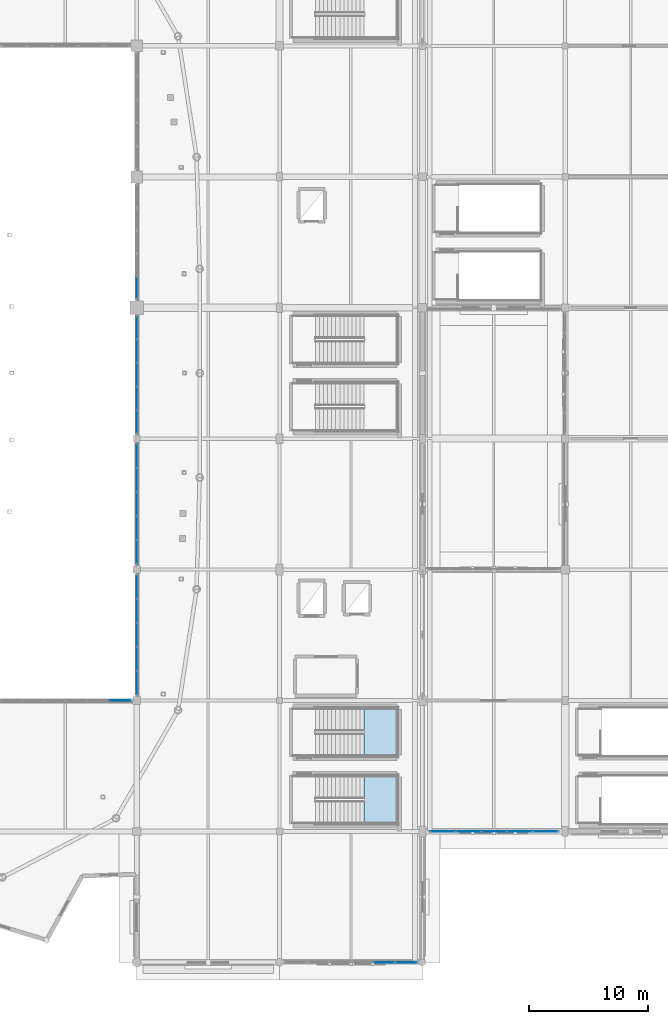
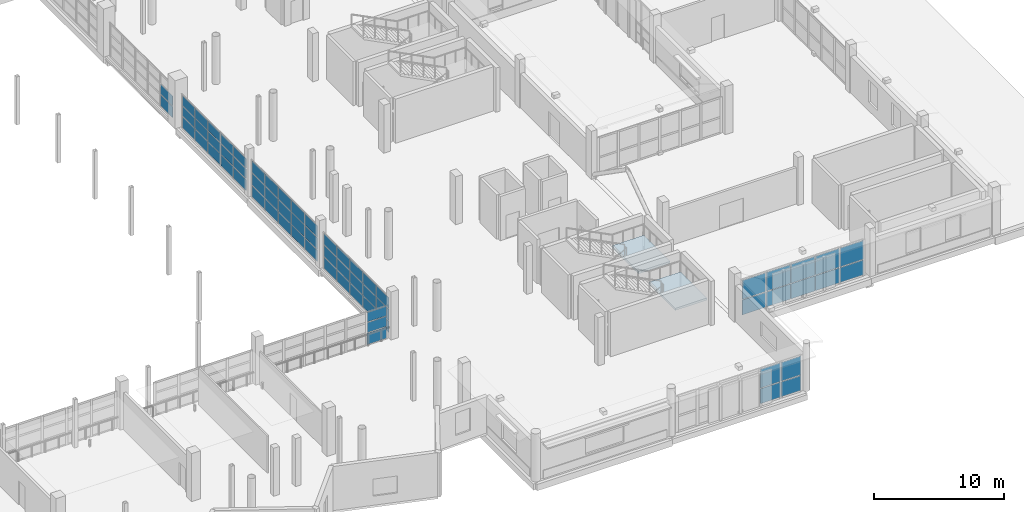
# One storey, part 72 of 118: 64 plates, 2 slabs, 9 elements without a shape of their own.
"""IFC4 building model written with IfcOpenShell, lengths in metres."""

from ifc_helpers import new_model, si_unit, direction, frame, origin, origin_2d, place, context, subcontext, project, spatial, polyline, rectangle, outline, extrude, material, layer, layer_set, type_object, element, aggregate, save


model = new_model("IFC4")

# Units and contexts
model_context = context("Model", 3, precision=1e-05, world=origin(), true_north=direction((0.0, 1.0)))
body_context = subcontext(model_context, "Body", "Model", "MODEL_VIEW")
ifc_project = project(units=[si_unit("LENGTHUNIT", "METRE"), si_unit("AREAUNIT", "SQUARE_METRE"), si_unit("VOLUMEUNIT", "CUBIC_METRE"), si_unit("PLANEANGLEUNIT", "RADIAN"), si_unit("MASSUNIT", "GRAM", prefix="KILO")], contexts=[model_context])

# Site, building, storey
site_placement = place(None, origin())
site = spatial("IfcSite", under=ifc_project, at=site_placement, CompositionType="ELEMENT")
building_placement = place(site_placement, origin())
building = spatial("IfcBuilding", under=site, at=building_placement, Name="Luwafu Chhajja Arena", CompositionType="ELEMENT")
storey_placement = place(building_placement, frame((0.0, 0.0, 10.199951171875)))
storey = spatial("IfcBuildingStorey", under=building, at=storey_placement, Name="L02", CompositionType="ELEMENT", Elevation=10.199951171875)

# Curtain wall, plates
ifc_material_1 = material(Name="Anodised bronze aluminium", Category="aluminium")
curtain_wall_type_1 = type_object("IfcCurtainWallType", Name="Media Ribbon Curtain Wall", PredefinedType="USERDEFINED", material=ifc_material_1)
curtain_wall_1_placement = place(storey_placement, origin())
curtain_wall_1 = element("IfcCurtainWall", 1, at=curtain_wall_1_placement, inside=storey, type_object=curtain_wall_type_1, Name="L02 Curtain Wall CWG-L02-H13_00", ObjectType="CURTAIN WALL", PredefinedType="USERDEFINED")
ifc_material_2 = material(Name="Solar-control laminated glass", Category="glass")
ifc_layer_1 = layer(ifc_material_2, 0.035888671875, Name="Solar-control laminated glass")
ifc_layer_set_1 = layer_set([ifc_layer_1], Name="Solar-control laminated glass")
plate_type_1 = type_object("IfcPlateType", Name="Acoustic Broadcast Double Glazed CW Panel 36", PredefinedType="CURTAIN_PANEL", material=ifc_layer_set_1)
plate_1_placement = place(storey_placement, frame((160.804931640625, 0.0, 0.10009765625), z_axis=(0.0, 0.0, 1.0), x_axis=(1.0, 0.0, 0.0)))
plate_1 = element("IfcPlate", 2, at=plate_1_placement, type_object=plate_type_1, Name="CW-03 panel 5.1", PredefinedType="CURTAIN_PANEL", context=body_context, shape_type="SweptSolid", body=[
    extrude(rectangle(XDim=1.783447265625, YDim=0.035888671875, at=origin_2d()), origin(), (0.0, 0.0, 1.0), 1.397216796875),
])
plate_2_placement = place(storey_placement, frame((160.804931640625, 0.0, 1.5673828125), z_axis=(0.0, 0.0, 1.0), x_axis=(1.0, 0.0, 0.0)))
plate_2 = element("IfcPlate", 3, at=plate_2_placement, type_object=plate_type_1, Name="CW-03 panel 5.2", PredefinedType="CURTAIN_PANEL", context=body_context, shape_type="SweptSolid", body=[
    extrude(rectangle(XDim=1.783447265625, YDim=0.035888671875, at=origin_2d()), origin(), (0.0, 0.0, 1.0), 1.767578125),
])
plate_3_placement = place(storey_placement, frame((162.640869140625, 0.0, 0.10009765625), z_axis=(0.0, 0.0, 1.0), x_axis=(1.0, 0.0, 0.0)))
plate_3 = element("IfcPlate", 4, at=plate_3_placement, type_object=plate_type_1, Name="CW-03 panel 6.1", PredefinedType="CURTAIN_PANEL", context=body_context, shape_type="SweptSolid", body=[
    extrude(rectangle(XDim=1.748291015625, YDim=0.035888671875, at=origin_2d()), origin(), (0.0, 0.0, 1.0), 1.397216796875),
])
plate_4_placement = place(storey_placement, frame((162.640869140625, 0.0, 1.5673828125), z_axis=(0.0, 0.0, 1.0), x_axis=(1.0, 0.0, 0.0)))
plate_4 = element("IfcPlate", 5, at=plate_4_placement, type_object=plate_type_1, Name="CW-03 panel 6.2", PredefinedType="CURTAIN_PANEL", context=body_context, shape_type="SweptSolid", body=[
    extrude(rectangle(XDim=1.748291015625, YDim=0.035888671875, at=origin_2d()), origin(), (0.0, 0.0, 1.0), 1.767578125),
])
aggregate(curtain_wall_1, [plate_1, plate_2, plate_3, plate_4])

# Stair, slab
ifc_material_3 = material(Name="Concrete C35/45", Category="concrete")
stair_type = type_object("IfcStairType", Name="Quadrant Protected Dog-Leg Stair 1920", PredefinedType="HALF_TURN_STAIR", material=ifc_material_3)
stair_1_placement = place(storey_placement, origin())
stair_1 = element("IfcStair", 6, at=stair_1_placement, inside=storey, type_object=stair_type, Name="L02 Protected Escape Stair ST-03", PredefinedType="HALF_TURN_STAIR")
ifc_layer_2 = layer(ifc_material_3, 0.199951171875, Name="Concrete C35/45")
ifc_layer_set_2 = layer_set([ifc_layer_2], Name="Concrete C35/45")
slab_type = type_object("IfcSlabType", Name="Escape Stair Landing Slab 200", PredefinedType="LANDING", material=ifc_layer_set_2)
slab_1_placement = place(storey_placement, frame((0.0, 0.0, 2.050048828125)))
slab_1 = element("IfcSlab", 7, at=slab_1_placement, type_object=slab_type, Name="ST-03 landing 1", PredefinedType="LANDING", context=body_context, shape_type="SweptSolid", body=[
    extrude(outline(polyline([(159.10009765625, 11.64990234375), (161.89990234375, 11.64990234375), (161.89990234375, 15.68994140625), (159.10009765625, 15.68994140625), (159.10009765625, 11.64990234375)])), origin(), (0.0, 0.0, 1.0), 0.199951171875),
])
aggregate(stair_1, [slab_1])

stair_2_placement = place(storey_placement, origin())
stair_2 = element("IfcStair", 8, at=stair_2_placement, inside=storey, type_object=stair_type, Name="L02 Protected Escape Stair ST-04", PredefinedType="HALF_TURN_STAIR")
slab_2_placement = place(storey_placement, frame((0.0, 0.0, 2.050048828125)))
slab_2 = element("IfcSlab", 9, at=slab_2_placement, type_object=slab_type, Name="ST-04 landing 1", PredefinedType="LANDING", context=body_context, shape_type="SweptSolid", body=[
    extrude(outline(polyline([(159.10009765625, 17.31005859375), (161.89990234375, 17.31005859375), (161.89990234375, 21.35009765625), (159.10009765625, 21.35009765625), (159.10009765625, 17.31005859375)])), origin(), (0.0, 0.0, 1.0), 0.199951171875),
])
aggregate(stair_2, [slab_2])

# Curtain wall, plates
curtain_wall_type_2 = type_object("IfcCurtainWallType", Name="Warm-Up Gallery Curtain Wall", PredefinedType="USERDEFINED", material=ifc_material_1)
curtain_wall_2_placement = place(storey_placement, origin())
curtain_wall_2 = element("IfcCurtainWall", 10, at=curtain_wall_2_placement, inside=storey, type_object=curtain_wall_type_2, Name="L02 Curtain Wall CWG-L02-H14_01", ObjectType="CURTAIN WALL", PredefinedType="USERDEFINED")
ifc_layer_3 = layer(ifc_material_1, 0.050048828125, Name="Anodised bronze aluminium")
ifc_layer_set_3 = layer_set([ifc_layer_3], Name="Anodised bronze aluminium")
plate_type_2 = type_object("IfcPlateType", Name="Insulated Bronze Spandrel Panel 50", PredefinedType="CURTAIN_PANEL", material=ifc_layer_set_3)
plate_5_placement = place(storey_placement, frame((165.694580078125, 11.0, 0.10009765625), z_axis=(0.0, 0.0, 1.0), x_axis=(1.0, 0.0, 0.0)))
plate_5 = element("IfcPlate", 11, at=plate_5_placement, type_object=plate_type_2, Name="CW-08 panel 1.1", PredefinedType="CURTAIN_PANEL", context=body_context, shape_type="SweptSolid", body=[
    extrude(rectangle(XDim=2.069091796875, YDim=0.050048828125, at=origin_2d()), origin(), (0.0, 0.0, 1.0), 1.397216796875),
])
plate_6_placement = place(storey_placement, frame((165.694580078125, 11.0, 1.5673828125), z_axis=(0.0, 0.0, 1.0), x_axis=(1.0, 0.0, 0.0)))
plate_6 = element("IfcPlate", 12, at=plate_6_placement, type_object=plate_type_2, Name="CW-08 panel 1.2", PredefinedType="CURTAIN_PANEL", context=body_context, shape_type="SweptSolid", body=[
    extrude(rectangle(XDim=2.069091796875, YDim=0.050048828125, at=origin_2d()), origin(), (0.0, 0.0, 1.0), 1.767578125),
])
plate_7_placement = place(storey_placement, frame((167.85107421875, 11.0, 0.10009765625), z_axis=(0.0, 0.0, 1.0), x_axis=(1.0, 0.0, 0.0)))
plate_7 = element("IfcPlate", 13, at=plate_7_placement, type_object=plate_type_2, Name="CW-08 panel 2.1", PredefinedType="CURTAIN_PANEL", context=body_context, shape_type="SweptSolid", body=[
    extrude(rectangle(XDim=2.10400390625, YDim=0.050048828125, at=origin_2d()), origin(), (0.0, 0.0, 1.0), 1.397216796875),
])
plate_8_placement = place(storey_placement, frame((167.85107421875, 11.0, 1.5673828125), z_axis=(0.0, 0.0, 1.0), x_axis=(1.0, 0.0, 0.0)))
plate_8 = element("IfcPlate", 14, at=plate_8_placement, type_object=plate_type_2, Name="CW-08 panel 2.2", PredefinedType="CURTAIN_PANEL", context=body_context, shape_type="SweptSolid", body=[
    extrude(rectangle(XDim=2.10400390625, YDim=0.050048828125, at=origin_2d()), origin(), (0.0, 0.0, 1.0), 1.767578125),
])
plate_9_placement = place(storey_placement, frame((170.02490234375, 11.0, 0.10009765625), z_axis=(0.0, 0.0, 1.0), x_axis=(1.0, 0.0, 0.0)))
plate_9 = element("IfcPlate", 15, at=plate_9_placement, type_object=plate_type_2, Name="CW-08 panel 3.1", PredefinedType="CURTAIN_PANEL", context=body_context, shape_type="SweptSolid", body=[
    extrude(rectangle(XDim=2.10400390625, YDim=0.050048828125, at=origin_2d()), origin(), (0.0, 0.0, 1.0), 1.397216796875),
])
plate_10_placement = place(storey_placement, frame((170.02490234375, 11.0, 1.5673828125), z_axis=(0.0, 0.0, 1.0), x_axis=(1.0, 0.0, 0.0)))
plate_10 = element("IfcPlate", 16, at=plate_10_placement, type_object=plate_type_2, Name="CW-08 panel 3.2", PredefinedType="CURTAIN_PANEL", context=body_context, shape_type="SweptSolid", body=[
    extrude(rectangle(XDim=2.10400390625, YDim=0.050048828125, at=origin_2d()), origin(), (0.0, 0.0, 1.0), 1.767578125),
])
plate_11_placement = place(storey_placement, frame((172.198974609375, 11.0, 0.10009765625), z_axis=(0.0, 0.0, 1.0), x_axis=(1.0, 0.0, 0.0)))
plate_11 = element("IfcPlate", 17, at=plate_11_placement, type_object=plate_type_2, Name="CW-08 panel 4.1", PredefinedType="CURTAIN_PANEL", context=body_context, shape_type="SweptSolid", body=[
    extrude(rectangle(XDim=2.10400390625, YDim=0.050048828125, at=origin_2d()), origin(), (0.0, 0.0, 1.0), 1.397216796875),
])
plate_12_placement = place(storey_placement, frame((172.198974609375, 11.0, 1.5673828125), z_axis=(0.0, 0.0, 1.0), x_axis=(1.0, 0.0, 0.0)))
plate_12 = element("IfcPlate", 18, at=plate_12_placement, type_object=plate_type_2, Name="CW-08 panel 4.2", PredefinedType="CURTAIN_PANEL", context=body_context, shape_type="SweptSolid", body=[
    extrude(rectangle(XDim=2.10400390625, YDim=0.050048828125, at=origin_2d()), origin(), (0.0, 0.0, 1.0), 1.767578125),
])
plate_13_placement = place(storey_placement, frame((174.35546875, 11.0, 0.10009765625), z_axis=(0.0, 0.0, 1.0), x_axis=(1.0, 0.0, 0.0)))
plate_13 = element("IfcPlate", 19, at=plate_13_placement, type_object=plate_type_2, Name="CW-08 panel 5.1", PredefinedType="CURTAIN_PANEL", context=body_context, shape_type="SweptSolid", body=[
    extrude(rectangle(XDim=2.069091796875, YDim=0.050048828125, at=origin_2d()), origin(), (0.0, 0.0, 1.0), 1.397216796875),
])
plate_14_placement = place(storey_placement, frame((174.35546875, 11.0, 1.5673828125), z_axis=(0.0, 0.0, 1.0), x_axis=(1.0, 0.0, 0.0)))
plate_14 = element("IfcPlate", 20, at=plate_14_placement, type_object=plate_type_2, Name="CW-08 panel 5.2", PredefinedType="CURTAIN_PANEL", context=body_context, shape_type="SweptSolid", body=[
    extrude(rectangle(XDim=2.069091796875, YDim=0.050048828125, at=origin_2d()), origin(), (0.0, 0.0, 1.0), 1.767578125),
])
aggregate(curtain_wall_2, [plate_5, plate_6, plate_7, plate_8, plate_9, plate_10, plate_11, plate_12, plate_13, plate_14])

curtain_wall_type_3 = type_object("IfcCurtainWallType", Name="Hospitality Ring Curtain Wall", PredefinedType="USERDEFINED", material=ifc_material_1)
curtain_wall_3_placement = place(storey_placement, origin())
curtain_wall_3 = element("IfcCurtainWall", 21, at=curtain_wall_3_placement, inside=storey, type_object=curtain_wall_type_3, Name="L02 Bowl Viewing Curtain Wall CWR-L02-07", ObjectType="CURTAIN WALL", PredefinedType="USERDEFINED")
ifc_layer_4 = layer(ifc_material_2, 0.028076171875, Name="Solar-control laminated glass")
ifc_layer_set_4 = layer_set([ifc_layer_4], Name="Solar-control laminated glass")
plate_type_3 = type_object("IfcPlateType", Name="Solar Control Double Glazed CW Panel 28", PredefinedType="CURTAIN_PANEL", material=ifc_layer_set_4)
plate_15_placement = place(storey_placement, frame((138.598388671875, 22.0, 0.06494140625), z_axis=(0.0, 0.0, 1.0), x_axis=(1.0, 0.0, 0.0)))
plate_15 = element("IfcPlate", 22, at=plate_15_placement, type_object=plate_type_3, Name="CW-02 panel 6.1", PredefinedType="CURTAIN_PANEL", context=body_context, shape_type="SweptSolid", body=[
    extrude(rectangle(XDim=1.743408203125, YDim=0.028076171875, at=origin_2d()), origin(), (0.0, 0.0, 1.0), 1.052490234375),
])
plate_16_placement = place(storey_placement, frame((138.598388671875, 22.0, 1.1826171875), z_axis=(0.0, 0.0, 1.0), x_axis=(1.0, 0.0, 0.0)))
plate_16 = element("IfcPlate", 23, at=plate_16_placement, type_object=plate_type_3, Name="CW-02 panel 6.2", PredefinedType="CURTAIN_PANEL", context=body_context, shape_type="SweptSolid", body=[
    extrude(rectangle(XDim=1.743408203125, YDim=0.028076171875, at=origin_2d()), origin(), (0.0, 0.0, 1.0), 0.929931640625),
])
plate_17_placement = place(storey_placement, frame((138.598388671875, 22.0, 2.177490234375), z_axis=(0.0, 0.0, 1.0), x_axis=(1.0, 0.0, 0.0)))
plate_17 = element("IfcPlate", 24, at=plate_17_placement, type_object=plate_type_3, Name="CW-02 panel 6.3", PredefinedType="CURTAIN_PANEL", context=body_context, shape_type="SweptSolid", body=[
    extrude(rectangle(XDim=1.743408203125, YDim=0.028076171875, at=origin_2d()), origin(), (0.0, 0.0, 1.0), 0.8974609375),
])
aggregate(curtain_wall_3, [plate_15, plate_16, plate_17])

curtain_wall_4_placement = place(storey_placement, origin())
curtain_wall_4 = element("IfcCurtainWall", 25, at=curtain_wall_4_placement, inside=storey, type_object=curtain_wall_type_3, Name="L02 Bowl Viewing Curtain Wall CWR-L02-20", ObjectType="CURTAIN WALL", PredefinedType="USERDEFINED")
plate_18_placement = place(storey_placement, frame((140.0, 23.49072265625, 0.06494140625), z_axis=(0.0, 0.0, 1.0), x_axis=(0.0, 1.0, 0.0)))
plate_18 = element("IfcPlate", 26, at=plate_18_placement, type_object=plate_type_3, Name="CW-02 panel 1.1", PredefinedType="CURTAIN_PANEL", context=body_context, shape_type="SweptSolid", body=[
    extrude(rectangle(XDim=1.92138671875, YDim=0.028076171875, at=origin_2d()), origin(), (0.0, 0.0, 1.0), 1.052490234375),
])
plate_19_placement = place(storey_placement, frame((140.0, 23.49072265625, 1.1826171875), z_axis=(0.0, 0.0, 1.0), x_axis=(0.0, 1.0, 0.0)))
plate_19 = element("IfcPlate", 27, at=plate_19_placement, type_object=plate_type_3, Name="CW-02 panel 1.2", PredefinedType="CURTAIN_PANEL", context=body_context, shape_type="SweptSolid", body=[
    extrude(rectangle(XDim=1.92138671875, YDim=0.028076171875, at=origin_2d()), origin(), (0.0, 0.0, 1.0), 1.054931640625),
])
plate_20_placement = place(storey_placement, frame((140.0, 23.49072265625, 2.302490234375), z_axis=(0.0, 0.0, 1.0), x_axis=(0.0, 1.0, 0.0)))
plate_20 = element("IfcPlate", 28, at=plate_20_placement, type_object=plate_type_3, Name="CW-02 panel 1.3", PredefinedType="CURTAIN_PANEL", context=body_context, shape_type="SweptSolid", body=[
    extrude(rectangle(XDim=1.92138671875, YDim=0.028076171875, at=origin_2d()), origin(), (0.0, 0.0, 1.0), 1.0224609375),
])
plate_21_placement = place(storey_placement, frame((140.0, 25.493408203125, 0.06494140625), z_axis=(0.0, 0.0, 1.0), x_axis=(0.0, 1.0, 0.0)))
plate_21 = element("IfcPlate", 29, at=plate_21_placement, type_object=plate_type_3, Name="CW-02 panel 2.1", PredefinedType="CURTAIN_PANEL", context=body_context, shape_type="SweptSolid", body=[
    extrude(rectangle(XDim=1.9541015625, YDim=0.028076171875, at=origin_2d()), origin(), (0.0, 0.0, 1.0), 1.052490234375),
])
plate_22_placement = place(storey_placement, frame((140.0, 25.493408203125, 1.1826171875), z_axis=(0.0, 0.0, 1.0), x_axis=(0.0, 1.0, 0.0)))
plate_22 = element("IfcPlate", 30, at=plate_22_placement, type_object=plate_type_3, Name="CW-02 panel 2.2", PredefinedType="CURTAIN_PANEL", context=body_context, shape_type="SweptSolid", body=[
    extrude(rectangle(XDim=1.9541015625, YDim=0.028076171875, at=origin_2d()), origin(), (0.0, 0.0, 1.0), 1.054931640625),
])
plate_23_placement = place(storey_placement, frame((140.0, 25.493408203125, 2.302490234375), z_axis=(0.0, 0.0, 1.0), x_axis=(0.0, 1.0, 0.0)))
plate_23 = element("IfcPlate", 31, at=plate_23_placement, type_object=plate_type_3, Name="CW-02 panel 2.3", PredefinedType="CURTAIN_PANEL", context=body_context, shape_type="SweptSolid", body=[
    extrude(rectangle(XDim=1.9541015625, YDim=0.028076171875, at=origin_2d()), origin(), (0.0, 0.0, 1.0), 1.0224609375),
])
plate_24_placement = place(storey_placement, frame((140.0, 27.512451171875, 0.06494140625), z_axis=(0.0, 0.0, 1.0), x_axis=(0.0, 1.0, 0.0)))
plate_24 = element("IfcPlate", 32, at=plate_24_placement, type_object=plate_type_3, Name="CW-02 panel 3.1", PredefinedType="CURTAIN_PANEL", context=body_context, shape_type="SweptSolid", body=[
    extrude(rectangle(XDim=1.9541015625, YDim=0.028076171875, at=origin_2d()), origin(), (0.0, 0.0, 1.0), 1.052490234375),
])
plate_25_placement = place(storey_placement, frame((140.0, 27.512451171875, 1.1826171875), z_axis=(0.0, 0.0, 1.0), x_axis=(0.0, 1.0, 0.0)))
plate_25 = element("IfcPlate", 33, at=plate_25_placement, type_object=plate_type_3, Name="CW-02 panel 3.2", PredefinedType="CURTAIN_PANEL", context=body_context, shape_type="SweptSolid", body=[
    extrude(rectangle(XDim=1.9541015625, YDim=0.028076171875, at=origin_2d()), origin(), (0.0, 0.0, 1.0), 1.054931640625),
])
plate_26_placement = place(storey_placement, frame((140.0, 27.512451171875, 2.302490234375), z_axis=(0.0, 0.0, 1.0), x_axis=(0.0, 1.0, 0.0)))
plate_26 = element("IfcPlate", 34, at=plate_26_placement, type_object=plate_type_3, Name="CW-02 panel 3.3", PredefinedType="CURTAIN_PANEL", context=body_context, shape_type="SweptSolid", body=[
    extrude(rectangle(XDim=1.9541015625, YDim=0.028076171875, at=origin_2d()), origin(), (0.0, 0.0, 1.0), 1.0224609375),
])
plate_27_placement = place(storey_placement, frame((140.0, 29.531494140625, 0.06494140625), z_axis=(0.0, 0.0, 1.0), x_axis=(0.0, 1.0, 0.0)))
plate_27 = element("IfcPlate", 35, at=plate_27_placement, type_object=plate_type_3, Name="CW-02 panel 4.1", PredefinedType="CURTAIN_PANEL", context=body_context, shape_type="SweptSolid", body=[
    extrude(rectangle(XDim=1.9541015625, YDim=0.028076171875, at=origin_2d()), origin(), (0.0, 0.0, 1.0), 1.052490234375),
])
plate_28_placement = place(storey_placement, frame((140.0, 29.531494140625, 1.1826171875), z_axis=(0.0, 0.0, 1.0), x_axis=(0.0, 1.0, 0.0)))
plate_28 = element("IfcPlate", 36, at=plate_28_placement, type_object=plate_type_3, Name="CW-02 panel 4.2", PredefinedType="CURTAIN_PANEL", context=body_context, shape_type="SweptSolid", body=[
    extrude(rectangle(XDim=1.9541015625, YDim=0.028076171875, at=origin_2d()), origin(), (0.0, 0.0, 1.0), 1.054931640625),
])
plate_29_placement = place(storey_placement, frame((140.0, 29.531494140625, 2.302490234375), z_axis=(0.0, 0.0, 1.0), x_axis=(0.0, 1.0, 0.0)))
plate_29 = element("IfcPlate", 37, at=plate_29_placement, type_object=plate_type_3, Name="CW-02 panel 4.3", PredefinedType="CURTAIN_PANEL", context=body_context, shape_type="SweptSolid", body=[
    extrude(rectangle(XDim=1.9541015625, YDim=0.028076171875, at=origin_2d()), origin(), (0.0, 0.0, 1.0), 1.0224609375),
])
plate_30_placement = place(storey_placement, frame((140.0, 31.5341796875, 0.06494140625), z_axis=(0.0, 0.0, 1.0), x_axis=(0.0, 1.0, 0.0)))
plate_30 = element("IfcPlate", 38, at=plate_30_placement, type_object=plate_type_3, Name="CW-02 panel 5.1", PredefinedType="CURTAIN_PANEL", context=body_context, shape_type="SweptSolid", body=[
    extrude(rectangle(XDim=1.92138671875, YDim=0.028076171875, at=origin_2d()), origin(), (0.0, 0.0, 1.0), 1.052490234375),
])
plate_31_placement = place(storey_placement, frame((140.0, 31.5341796875, 1.1826171875), z_axis=(0.0, 0.0, 1.0), x_axis=(0.0, 1.0, 0.0)))
plate_31 = element("IfcPlate", 39, at=plate_31_placement, type_object=plate_type_3, Name="CW-02 panel 5.2", PredefinedType="CURTAIN_PANEL", context=body_context, shape_type="SweptSolid", body=[
    extrude(rectangle(XDim=1.92138671875, YDim=0.028076171875, at=origin_2d()), origin(), (0.0, 0.0, 1.0), 1.054931640625),
])
plate_32_placement = place(storey_placement, frame((140.0, 31.5341796875, 2.302490234375), z_axis=(0.0, 0.0, 1.0), x_axis=(0.0, 1.0, 0.0)))
plate_32 = element("IfcPlate", 40, at=plate_32_placement, type_object=plate_type_3, Name="CW-02 panel 5.3", PredefinedType="CURTAIN_PANEL", context=body_context, shape_type="SweptSolid", body=[
    extrude(rectangle(XDim=1.92138671875, YDim=0.028076171875, at=origin_2d()), origin(), (0.0, 0.0, 1.0), 1.0224609375),
])
aggregate(curtain_wall_4, [plate_18, plate_19, plate_20, plate_21, plate_22, plate_23, plate_24, plate_25, plate_26, plate_27, plate_28, plate_29, plate_30, plate_31, plate_32])

curtain_wall_5_placement = place(storey_placement, origin())
curtain_wall_5 = element("IfcCurtainWall", 41, at=curtain_wall_5_placement, inside=storey, type_object=curtain_wall_type_3, Name="L02 Bowl Viewing Curtain Wall CWR-L02-21", ObjectType="CURTAIN WALL", PredefinedType="USERDEFINED")
plate_33_placement = place(storey_placement, frame((140.0, 34.470703125, 0.06494140625), z_axis=(0.0, 0.0, 1.0), x_axis=(0.0, 1.0, 0.0)))
plate_33 = element("IfcPlate", 42, at=plate_33_placement, type_object=plate_type_3, Name="CW-02 panel 1.1", PredefinedType="CURTAIN_PANEL", context=body_context, shape_type="SweptSolid", body=[
    extrude(rectangle(XDim=1.931396484375, YDim=0.028076171875, at=origin_2d()), origin(), (0.0, 0.0, 1.0), 1.052490234375),
])
plate_34_placement = place(storey_placement, frame((140.0, 34.470703125, 1.1826171875), z_axis=(0.0, 0.0, 1.0), x_axis=(0.0, 1.0, 0.0)))
plate_34 = element("IfcPlate", 43, at=plate_34_placement, type_object=plate_type_3, Name="CW-02 panel 1.2", PredefinedType="CURTAIN_PANEL", context=body_context, shape_type="SweptSolid", body=[
    extrude(rectangle(XDim=1.931396484375, YDim=0.028076171875, at=origin_2d()), origin(), (0.0, 0.0, 1.0), 1.10498046875),
])
plate_35_placement = place(storey_placement, frame((140.0, 34.470703125, 2.3525390625), z_axis=(0.0, 0.0, 1.0), x_axis=(0.0, 1.0, 0.0)))
plate_35 = element("IfcPlate", 44, at=plate_35_placement, type_object=plate_type_3, Name="CW-02 panel 1.3", PredefinedType="CURTAIN_PANEL", context=body_context, shape_type="SweptSolid", body=[
    extrude(rectangle(XDim=1.931396484375, YDim=0.028076171875, at=origin_2d()), origin(), (0.0, 0.0, 1.0), 1.072509765625),
])
plate_36_placement = place(storey_placement, frame((140.0, 36.4833984375, 0.06494140625), z_axis=(0.0, 0.0, 1.0), x_axis=(0.0, 1.0, 0.0)))
plate_36 = element("IfcPlate", 45, at=plate_36_placement, type_object=plate_type_3, Name="CW-02 panel 2.1", PredefinedType="CURTAIN_PANEL", context=body_context, shape_type="SweptSolid", body=[
    extrude(rectangle(XDim=1.964111328125, YDim=0.028076171875, at=origin_2d()), origin(), (0.0, 0.0, 1.0), 1.052490234375),
])
plate_37_placement = place(storey_placement, frame((140.0, 36.4833984375, 1.1826171875), z_axis=(0.0, 0.0, 1.0), x_axis=(0.0, 1.0, 0.0)))
plate_37 = element("IfcPlate", 46, at=plate_37_placement, type_object=plate_type_3, Name="CW-02 panel 2.2", PredefinedType="CURTAIN_PANEL", context=body_context, shape_type="SweptSolid", body=[
    extrude(rectangle(XDim=1.964111328125, YDim=0.028076171875, at=origin_2d()), origin(), (0.0, 0.0, 1.0), 1.10498046875),
])
plate_38_placement = place(storey_placement, frame((140.0, 36.4833984375, 2.3525390625), z_axis=(0.0, 0.0, 1.0), x_axis=(0.0, 1.0, 0.0)))
plate_38 = element("IfcPlate", 47, at=plate_38_placement, type_object=plate_type_3, Name="CW-02 panel 2.3", PredefinedType="CURTAIN_PANEL", context=body_context, shape_type="SweptSolid", body=[
    extrude(rectangle(XDim=1.964111328125, YDim=0.028076171875, at=origin_2d()), origin(), (0.0, 0.0, 1.0), 1.072509765625),
])
plate_39_placement = place(storey_placement, frame((140.0, 38.512451171875, 0.06494140625), z_axis=(0.0, 0.0, 1.0), x_axis=(0.0, 1.0, 0.0)))
plate_39 = element("IfcPlate", 48, at=plate_39_placement, type_object=plate_type_3, Name="CW-02 panel 3.1", PredefinedType="CURTAIN_PANEL", context=body_context, shape_type="SweptSolid", body=[
    extrude(rectangle(XDim=1.964111328125, YDim=0.028076171875, at=origin_2d()), origin(), (0.0, 0.0, 1.0), 1.052490234375),
])
plate_40_placement = place(storey_placement, frame((140.0, 38.512451171875, 1.1826171875), z_axis=(0.0, 0.0, 1.0), x_axis=(0.0, 1.0, 0.0)))
plate_40 = element("IfcPlate", 49, at=plate_40_placement, type_object=plate_type_3, Name="CW-02 panel 3.2", PredefinedType="CURTAIN_PANEL", context=body_context, shape_type="SweptSolid", body=[
    extrude(rectangle(XDim=1.964111328125, YDim=0.028076171875, at=origin_2d()), origin(), (0.0, 0.0, 1.0), 1.10498046875),
])
plate_41_placement = place(storey_placement, frame((140.0, 38.512451171875, 2.3525390625), z_axis=(0.0, 0.0, 1.0), x_axis=(0.0, 1.0, 0.0)))
plate_41 = element("IfcPlate", 50, at=plate_41_placement, type_object=plate_type_3, Name="CW-02 panel 3.3", PredefinedType="CURTAIN_PANEL", context=body_context, shape_type="SweptSolid", body=[
    extrude(rectangle(XDim=1.964111328125, YDim=0.028076171875, at=origin_2d()), origin(), (0.0, 0.0, 1.0), 1.072509765625),
])
plate_42_placement = place(storey_placement, frame((140.0, 40.54150390625, 0.06494140625), z_axis=(0.0, 0.0, 1.0), x_axis=(0.0, 1.0, 0.0)))
plate_42 = element("IfcPlate", 51, at=plate_42_placement, type_object=plate_type_3, Name="CW-02 panel 4.1", PredefinedType="CURTAIN_PANEL", context=body_context, shape_type="SweptSolid", body=[
    extrude(rectangle(XDim=1.964111328125, YDim=0.028076171875, at=origin_2d()), origin(), (0.0, 0.0, 1.0), 1.052490234375),
])
plate_43_placement = place(storey_placement, frame((140.0, 40.54150390625, 1.1826171875), z_axis=(0.0, 0.0, 1.0), x_axis=(0.0, 1.0, 0.0)))
plate_43 = element("IfcPlate", 52, at=plate_43_placement, type_object=plate_type_3, Name="CW-02 panel 4.2", PredefinedType="CURTAIN_PANEL", context=body_context, shape_type="SweptSolid", body=[
    extrude(rectangle(XDim=1.964111328125, YDim=0.028076171875, at=origin_2d()), origin(), (0.0, 0.0, 1.0), 1.10498046875),
])
plate_44_placement = place(storey_placement, frame((140.0, 40.54150390625, 2.3525390625), z_axis=(0.0, 0.0, 1.0), x_axis=(0.0, 1.0, 0.0)))
plate_44 = element("IfcPlate", 53, at=plate_44_placement, type_object=plate_type_3, Name="CW-02 panel 4.3", PredefinedType="CURTAIN_PANEL", context=body_context, shape_type="SweptSolid", body=[
    extrude(rectangle(XDim=1.964111328125, YDim=0.028076171875, at=origin_2d()), origin(), (0.0, 0.0, 1.0), 1.072509765625),
])
plate_45_placement = place(storey_placement, frame((140.0, 42.55419921875, 0.06494140625), z_axis=(0.0, 0.0, 1.0), x_axis=(0.0, 1.0, 0.0)))
plate_45 = element("IfcPlate", 54, at=plate_45_placement, type_object=plate_type_3, Name="CW-02 panel 5.1", PredefinedType="CURTAIN_PANEL", context=body_context, shape_type="SweptSolid", body=[
    extrude(rectangle(XDim=1.931396484375, YDim=0.028076171875, at=origin_2d()), origin(), (0.0, 0.0, 1.0), 1.052490234375),
])
plate_46_placement = place(storey_placement, frame((140.0, 42.55419921875, 1.1826171875), z_axis=(0.0, 0.0, 1.0), x_axis=(0.0, 1.0, 0.0)))
plate_46 = element("IfcPlate", 55, at=plate_46_placement, type_object=plate_type_3, Name="CW-02 panel 5.2", PredefinedType="CURTAIN_PANEL", context=body_context, shape_type="SweptSolid", body=[
    extrude(rectangle(XDim=1.931396484375, YDim=0.028076171875, at=origin_2d()), origin(), (0.0, 0.0, 1.0), 1.10498046875),
])
plate_47_placement = place(storey_placement, frame((140.0, 42.55419921875, 2.3525390625), z_axis=(0.0, 0.0, 1.0), x_axis=(0.0, 1.0, 0.0)))
plate_47 = element("IfcPlate", 56, at=plate_47_placement, type_object=plate_type_3, Name="CW-02 panel 5.3", PredefinedType="CURTAIN_PANEL", context=body_context, shape_type="SweptSolid", body=[
    extrude(rectangle(XDim=1.931396484375, YDim=0.028076171875, at=origin_2d()), origin(), (0.0, 0.0, 1.0), 1.072509765625),
])
aggregate(curtain_wall_5, [plate_33, plate_34, plate_35, plate_36, plate_37, plate_38, plate_39, plate_40, plate_41, plate_42, plate_43, plate_44, plate_45, plate_46, plate_47])

curtain_wall_6_placement = place(storey_placement, origin())
curtain_wall_6 = element("IfcCurtainWall", 57, at=curtain_wall_6_placement, inside=storey, type_object=curtain_wall_type_3, Name="L02 Bowl Viewing Curtain Wall CWR-L02-22", ObjectType="CURTAIN WALL", PredefinedType="USERDEFINED")
plate_48_placement = place(storey_placement, frame((140.0, 45.420654296875, 0.06494140625), z_axis=(0.0, 0.0, 1.0), x_axis=(0.0, 1.0, 0.0)))
plate_48 = element("IfcPlate", 58, at=plate_48_placement, type_object=plate_type_3, Name="CW-02 panel 1.1", PredefinedType="CURTAIN_PANEL", context=body_context, shape_type="SweptSolid", body=[
    extrude(rectangle(XDim=1.881591796875, YDim=0.028076171875, at=origin_2d()), origin(), (0.0, 0.0, 1.0), 1.052490234375),
])
plate_49_placement = place(storey_placement, frame((140.0, 45.420654296875, 1.1826171875), z_axis=(0.0, 0.0, 1.0), x_axis=(0.0, 1.0, 0.0)))
plate_49 = element("IfcPlate", 59, at=plate_49_placement, type_object=plate_type_3, Name="CW-02 panel 1.2", PredefinedType="CURTAIN_PANEL", context=body_context, shape_type="SweptSolid", body=[
    extrude(rectangle(XDim=1.881591796875, YDim=0.028076171875, at=origin_2d()), origin(), (0.0, 0.0, 1.0), 0.929931640625),
])
plate_50_placement = place(storey_placement, frame((140.0, 45.420654296875, 2.177490234375), z_axis=(0.0, 0.0, 1.0), x_axis=(0.0, 1.0, 0.0)))
plate_50 = element("IfcPlate", 60, at=plate_50_placement, type_object=plate_type_3, Name="CW-02 panel 1.3", PredefinedType="CURTAIN_PANEL", context=body_context, shape_type="SweptSolid", body=[
    extrude(rectangle(XDim=1.881591796875, YDim=0.028076171875, at=origin_2d()), origin(), (0.0, 0.0, 1.0), 0.8974609375),
])
plate_51_placement = place(storey_placement, frame((140.0, 47.383544921875, 0.06494140625), z_axis=(0.0, 0.0, 1.0), x_axis=(0.0, 1.0, 0.0)))
plate_51 = element("IfcPlate", 61, at=plate_51_placement, type_object=plate_type_3, Name="CW-02 panel 2.1", PredefinedType="CURTAIN_PANEL", context=body_context, shape_type="SweptSolid", body=[
    extrude(rectangle(XDim=1.9140625, YDim=0.028076171875, at=origin_2d()), origin(), (0.0, 0.0, 1.0), 1.052490234375),
])
plate_52_placement = place(storey_placement, frame((140.0, 47.383544921875, 1.1826171875), z_axis=(0.0, 0.0, 1.0), x_axis=(0.0, 1.0, 0.0)))
plate_52 = element("IfcPlate", 62, at=plate_52_placement, type_object=plate_type_3, Name="CW-02 panel 2.2", PredefinedType="CURTAIN_PANEL", context=body_context, shape_type="SweptSolid", body=[
    extrude(rectangle(XDim=1.9140625, YDim=0.028076171875, at=origin_2d()), origin(), (0.0, 0.0, 1.0), 0.929931640625),
])
plate_53_placement = place(storey_placement, frame((140.0, 47.383544921875, 2.177490234375), z_axis=(0.0, 0.0, 1.0), x_axis=(0.0, 1.0, 0.0)))
plate_53 = element("IfcPlate", 63, at=plate_53_placement, type_object=plate_type_3, Name="CW-02 panel 2.3", PredefinedType="CURTAIN_PANEL", context=body_context, shape_type="SweptSolid", body=[
    extrude(rectangle(XDim=1.9140625, YDim=0.028076171875, at=origin_2d()), origin(), (0.0, 0.0, 1.0), 0.8974609375),
])
plate_54_placement = place(storey_placement, frame((140.0, 49.362548828125, 0.06494140625), z_axis=(0.0, 0.0, 1.0), x_axis=(0.0, 1.0, 0.0)))
plate_54 = element("IfcPlate", 64, at=plate_54_placement, type_object=plate_type_3, Name="CW-02 panel 3.1", PredefinedType="CURTAIN_PANEL", context=body_context, shape_type="SweptSolid", body=[
    extrude(rectangle(XDim=1.9140625, YDim=0.028076171875, at=origin_2d()), origin(), (0.0, 0.0, 1.0), 1.052490234375),
])
plate_55_placement = place(storey_placement, frame((140.0, 49.362548828125, 1.1826171875), z_axis=(0.0, 0.0, 1.0), x_axis=(0.0, 1.0, 0.0)))
plate_55 = element("IfcPlate", 65, at=plate_55_placement, type_object=plate_type_3, Name="CW-02 panel 3.2", PredefinedType="CURTAIN_PANEL", context=body_context, shape_type="SweptSolid", body=[
    extrude(rectangle(XDim=1.9140625, YDim=0.028076171875, at=origin_2d()), origin(), (0.0, 0.0, 1.0), 0.929931640625),
])
plate_56_placement = place(storey_placement, frame((140.0, 49.362548828125, 2.177490234375), z_axis=(0.0, 0.0, 1.0), x_axis=(0.0, 1.0, 0.0)))
plate_56 = element("IfcPlate", 66, at=plate_56_placement, type_object=plate_type_3, Name="CW-02 panel 3.3", PredefinedType="CURTAIN_PANEL", context=body_context, shape_type="SweptSolid", body=[
    extrude(rectangle(XDim=1.9140625, YDim=0.028076171875, at=origin_2d()), origin(), (0.0, 0.0, 1.0), 0.8974609375),
])
plate_57_placement = place(storey_placement, frame((140.0, 51.341552734375, 0.06494140625), z_axis=(0.0, 0.0, 1.0), x_axis=(0.0, 1.0, 0.0)))
plate_57 = element("IfcPlate", 67, at=plate_57_placement, type_object=plate_type_3, Name="CW-02 panel 4.1", PredefinedType="CURTAIN_PANEL", context=body_context, shape_type="SweptSolid", body=[
    extrude(rectangle(XDim=1.9140625, YDim=0.028076171875, at=origin_2d()), origin(), (0.0, 0.0, 1.0), 1.052490234375),
])
plate_58_placement = place(storey_placement, frame((140.0, 51.341552734375, 1.1826171875), z_axis=(0.0, 0.0, 1.0), x_axis=(0.0, 1.0, 0.0)))
plate_58 = element("IfcPlate", 68, at=plate_58_placement, type_object=plate_type_3, Name="CW-02 panel 4.2", PredefinedType="CURTAIN_PANEL", context=body_context, shape_type="SweptSolid", body=[
    extrude(rectangle(XDim=1.9140625, YDim=0.028076171875, at=origin_2d()), origin(), (0.0, 0.0, 1.0), 0.929931640625),
])
plate_59_placement = place(storey_placement, frame((140.0, 51.341552734375, 2.177490234375), z_axis=(0.0, 0.0, 1.0), x_axis=(0.0, 1.0, 0.0)))
plate_59 = element("IfcPlate", 69, at=plate_59_placement, type_object=plate_type_3, Name="CW-02 panel 4.3", PredefinedType="CURTAIN_PANEL", context=body_context, shape_type="SweptSolid", body=[
    extrude(rectangle(XDim=1.9140625, YDim=0.028076171875, at=origin_2d()), origin(), (0.0, 0.0, 1.0), 0.8974609375),
])
plate_60_placement = place(storey_placement, frame((140.0, 53.30419921875, 0.06494140625), z_axis=(0.0, 0.0, 1.0), x_axis=(0.0, 1.0, 0.0)))
plate_60 = element("IfcPlate", 70, at=plate_60_placement, type_object=plate_type_3, Name="CW-02 panel 5.1", PredefinedType="CURTAIN_PANEL", context=body_context, shape_type="SweptSolid", body=[
    extrude(rectangle(XDim=1.881591796875, YDim=0.028076171875, at=origin_2d()), origin(), (0.0, 0.0, 1.0), 1.052490234375),
])
plate_61_placement = place(storey_placement, frame((140.0, 53.30419921875, 1.1826171875), z_axis=(0.0, 0.0, 1.0), x_axis=(0.0, 1.0, 0.0)))
plate_61 = element("IfcPlate", 71, at=plate_61_placement, type_object=plate_type_3, Name="CW-02 panel 5.2", PredefinedType="CURTAIN_PANEL", context=body_context, shape_type="SweptSolid", body=[
    extrude(rectangle(XDim=1.881591796875, YDim=0.028076171875, at=origin_2d()), origin(), (0.0, 0.0, 1.0), 0.929931640625),
])
plate_62_placement = place(storey_placement, frame((140.0, 53.30419921875, 2.177490234375), z_axis=(0.0, 0.0, 1.0), x_axis=(0.0, 1.0, 0.0)))
plate_62 = element("IfcPlate", 72, at=plate_62_placement, type_object=plate_type_3, Name="CW-02 panel 5.3", PredefinedType="CURTAIN_PANEL", context=body_context, shape_type="SweptSolid", body=[
    extrude(rectangle(XDim=1.881591796875, YDim=0.028076171875, at=origin_2d()), origin(), (0.0, 0.0, 1.0), 0.8974609375),
])
aggregate(curtain_wall_6, [plate_48, plate_49, plate_50, plate_51, plate_52, plate_53, plate_54, plate_55, plate_56, plate_57, plate_58, plate_59, plate_60, plate_61, plate_62])

curtain_wall_7_placement = place(storey_placement, origin())
curtain_wall_7 = element("IfcCurtainWall", 73, at=curtain_wall_7_placement, inside=storey, type_object=curtain_wall_type_3, Name="L02 Bowl Viewing Curtain Wall CWR-L02-23", ObjectType="CURTAIN WALL", PredefinedType="USERDEFINED")
plate_63_placement = place(storey_placement, frame((140.0, 56.67333984375, 0.06494140625), z_axis=(0.0, 0.0, 1.0), x_axis=(0.0, 1.0, 0.0)))
plate_63 = element("IfcPlate", 74, at=plate_63_placement, type_object=plate_type_3, Name="CW-02 panel 1.1", PredefinedType="CURTAIN_PANEL", context=body_context, shape_type="SweptSolid", body=[
    extrude(rectangle(XDim=1.83642578125, YDim=0.028076171875, at=origin_2d()), origin(), (0.0, 0.0, 1.0), 1.052490234375),
])
plate_64_placement = place(storey_placement, frame((140.0, 56.67333984375, 1.1826171875), z_axis=(0.0, 0.0, 1.0), x_axis=(0.0, 1.0, 0.0)))
plate_64 = element("IfcPlate", 75, at=plate_64_placement, type_object=plate_type_3, Name="CW-02 panel 1.2", PredefinedType="CURTAIN_PANEL", context=body_context, shape_type="SweptSolid", body=[
    extrude(rectangle(XDim=1.83642578125, YDim=0.028076171875, at=origin_2d()), origin(), (0.0, 0.0, 1.0), 0.929931640625),
])
aggregate(curtain_wall_7, [plate_63, plate_64])

save(model, "model.ifc")
